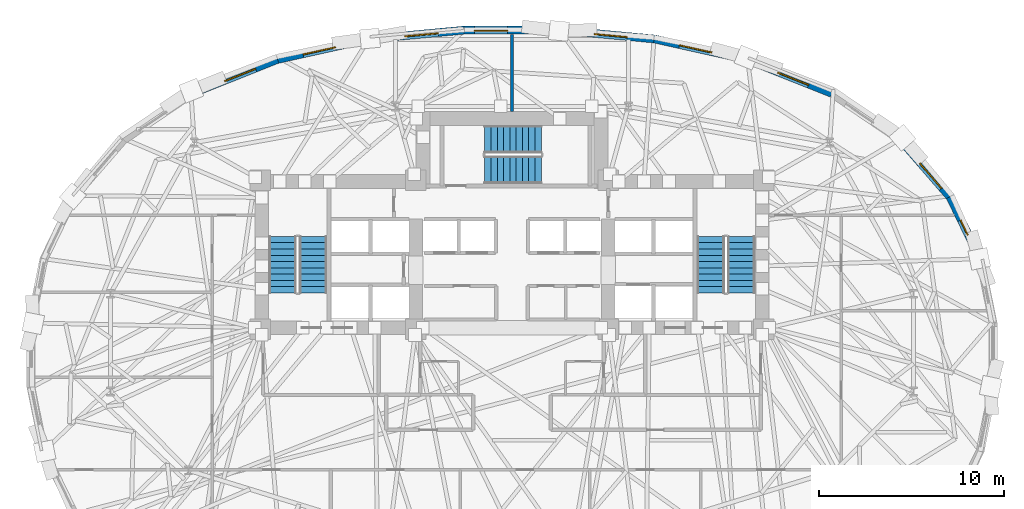
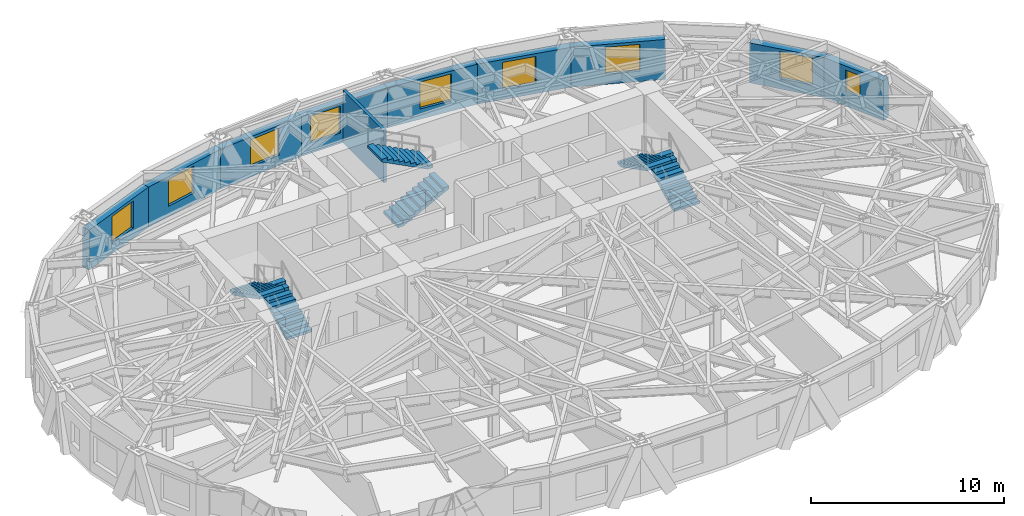
# One storey, part 10 of 14: 10 walls, 9 windows, 6 stair flights, 9 openings, 3 elements without a shape of their own.
"""IFC4 building model written with IfcOpenShell, lengths in metres."""

from ifc_helpers import new_model, si_unit, direction, frame, frame_2d, origin, place, context, subcontext, project, spatial, polyline, rectangle, outline, extrude, material, layer, layer_set, type_object, element, fill, aggregate, save


model = new_model("IFC4")

# Units and contexts
model_context = context("Model", 3, precision=1e-05, world=origin(), true_north=direction((0.0, 1.0)))
body_context = subcontext(model_context, "Body", "Model", "MODEL_VIEW")
ifc_project = project(units=[si_unit("LENGTHUNIT", "METRE"), si_unit("AREAUNIT", "SQUARE_METRE"), si_unit("VOLUMEUNIT", "CUBIC_METRE"), si_unit("PLANEANGLEUNIT", "RADIAN"), si_unit("MASSUNIT", "GRAM", prefix="KILO")], contexts=[model_context])

# Site, building, storey
site_placement = place(None, origin())
site = spatial("IfcSite", under=ifc_project, at=site_placement, CompositionType="ELEMENT")
building_placement = place(site_placement, origin())
building = spatial("IfcBuilding", under=site, at=building_placement, Name="Keldmark Tower", CompositionType="ELEMENT")
storey_placement = place(building_placement, frame((0.0, 0.0, 121.10009765625)))
storey = spatial("IfcBuildingStorey", under=building, at=storey_placement, Name="L32", CompositionType="ELEMENT", Elevation=121.10009765625)

# Wall
ifc_material_1 = material(Name="STC-58 Insulated Tenant Demising Gypsum Partition", Category="gypsum")
ifc_layer_1 = layer(ifc_material_1, 0.175048828125)
ifc_layer_set_1 = layer_set([ifc_layer_1], Name="STC-58 Insulated Tenant Demising Gypsum Partition")
wall_type_1 = type_object("IfcWallType", Name="Demising Suite Partition 175 mm", PredefinedType="PARTITIONING", material=ifc_layer_set_1)
wall_1_placement = place(storey_placement, frame((0.0, 13.14990234375, 0.0), z_axis=(0.0, 0.0, 1.0), x_axis=(0.0, 1.0, 0.0)))
element("IfcWall", 1, at=wall_1_placement, inside=storey, type_object=wall_type_1, Name="L32 Demising Suite Partition 175 mm N-MID-DIV", PredefinedType="PARTITIONING", context=body_context, shape_type="SweptSolid", body=[
    extrude(rectangle(XDim=4.180908203125, YDim=0.175048828125, at=frame_2d((2.09033203125, 0.0))), origin(), (0.0, 0.0, 1.0), 3.309814453125),
])

# Wall, opening, window
ifc_material_2 = material(Name="Ironspot Manganese Brick and Kasota Buff Limestone Spandrel Assembly", Category="masonry")
ifc_layer_2 = layer(ifc_material_2, 0.43994140625)
ifc_layer_set_2 = layer_set([ifc_layer_2], Name="Ironspot Manganese Brick and Kasota Buff Limestone Spandrel Assembly")
wall_type_2 = type_object("IfcWallType", Name="Tower Brick Pier and Spandrel Wall 440 mm", PredefinedType="STANDARD", material=ifc_layer_set_2)
wall_2_placement = place(storey_placement, frame((23.66748046875, 8.552490234375, 0.0), z_axis=(0.0, 0.0, 1.0), x_axis=(0.43625131955, -0.899824864177, 0.0)))
wall_2 = element("IfcWall", 2, at=wall_2_placement, inside=storey, type_object=wall_type_2, Name="L32 Exterior Brick and Spandrel Wall 02", PredefinedType="STANDARD", context=body_context, shape_type="SweptSolid", body=[
    extrude(rectangle(XDim=3.77978515625, YDim=0.43994140625, at=frame_2d((1.889892578125, 0.0))), origin(), (0.0, 0.0, 1.0), 2.52783203125),
])
opening_1_placement = place(wall_2_placement, frame((1.390380859375, 0.0, 0.919921875)))
opening_1 = element("IfcOpeningElement", 3, at=opening_1_placement, cuts=wall_2, Name="Opening W-09", PredefinedType="OPENING", context=body_context, shape_type="SweptSolid", body=[
    extrude(rectangle(XDim=0.89990234375, YDim=1.35009765625, at=frame_2d((0.449951171875, 0.675048828125))), frame((0.0, 0.22998046875, 0.0), z_axis=(0.0, -1.0, 0.0), x_axis=(1.0, 0.0, 0.0)), (0.0, 0.0, 1.0), 0.4599609375),
])
ifc_material_3 = material(Name="Thermally Broken Anodized Aluminum and Triple Low-E Argon Glazing", Category="aluminium")
window_type_1 = type_object("IfcWindowType", Name="Corner Pier Deep-Set Window 900x1350", PartitioningType="SINGLE_PANEL", PredefinedType="WINDOW", material=ifc_material_3)
window_1_placement = place(opening_1_placement, origin())
window_1 = element("IfcWindow", 4, at=window_1_placement, inside=storey, type_object=window_type_1, Name="L32 Deep-Set Window 02", OverallHeight=1.35009765625, OverallWidth=0.89990234375, PartitioningType="SINGLE_PANEL", PredefinedType="WINDOW", context=body_context, shape_type="SweptSolid", body=[
    extrude(rectangle(XDim=0.89990234375, YDim=1.35009765625, at=frame_2d((0.449951171875, 0.675048828125))), frame((0.0, -0.010009765625, 0.0), z_axis=(0.0, -1.0, 0.0), x_axis=(1.0, 0.0, 0.0)), (0.0, 0.0, 1.0), 0.06005859375),
])
fill(opening_1, window_1)

wall_3_placement = place(storey_placement, frame((20.9931640625, 11.629150390625, 0.0), z_axis=(0.0, 0.0, 1.0), x_axis=(0.654644924638, -0.755936520249, 0.0)))
wall_3 = element("IfcWall", 5, at=wall_3_placement, inside=storey, type_object=wall_type_2, Name="L32 Exterior Brick and Spandrel Wall 03", PredefinedType="STANDARD", context=body_context, shape_type="SweptSolid", body=[
    extrude(rectangle(XDim=4.133544921875, YDim=0.43994140625, at=frame_2d((2.06689453125, 0.0))), origin(), (0.0, 0.0, 1.0), 2.52783203125),
])
opening_2_placement = place(wall_3_placement, frame((1.6376953125, 0.0, 0.64990234375)))
opening_2 = element("IfcOpeningElement", 6, at=opening_2_placement, cuts=wall_3, Name="Opening W-02", PredefinedType="OPENING", context=body_context, shape_type="SweptSolid", body=[
    extrude(rectangle(XDim=1.800048828125, YDim=1.699951171875, at=frame_2d((0.89990234375, 0.85009765625))), frame((0.0, 0.22998046875, 0.0), z_axis=(0.0, -1.0, 0.0), x_axis=(1.0, 0.0, 0.0)), (0.0, 0.0, 1.0), 0.4599609375),
])
ifc_material_4 = material(Name="Thermally Broken Anodized Aluminum and Triple Low-E Argon Glazing", Category="aluminium")
window_type_2 = type_object("IfcWindowType", Name="Office Deep-Set Triple Window 1800x1700", PartitioningType="TRIPLE_PANEL_VERTICAL", PredefinedType="WINDOW", material=ifc_material_4)
window_2_placement = place(opening_2_placement, origin())
window_2 = element("IfcWindow", 7, at=window_2_placement, inside=storey, type_object=window_type_2, Name="L32 Deep-Set Window 03", OverallHeight=1.699951171875, OverallWidth=1.800048828125, PartitioningType="SINGLE_PANEL", PredefinedType="WINDOW", context=body_context, shape_type="SweptSolid", body=[
    extrude(rectangle(XDim=1.800048828125, YDim=1.699951171875, at=frame_2d((0.89990234375, 0.85009765625))), frame((0.0, -0.010009765625, 0.0), z_axis=(0.0, -1.0, 0.0), x_axis=(1.0, 0.0, 0.0)), (0.0, 0.0, 1.0), 0.06005859375),
])
fill(opening_2, window_2)

wall_4_placement = place(storey_placement, frame((12.6748046875, 15.975830078125, 0.0), z_axis=(0.0, 0.0, 1.0), x_axis=(0.929089765506, -0.369854305953, 0.0)))
wall_4 = element("IfcWall", 8, at=wall_4_placement, inside=storey, type_object=wall_type_2, Name="L32 Exterior Brick and Spandrel Wall 05", PredefinedType="STANDARD", context=body_context, shape_type="SweptSolid", body=[
    extrude(rectangle(XDim=4.960693359375, YDim=0.43994140625, at=frame_2d((2.48046875, 0.0))), origin(), (0.0, 0.0, 1.0), 2.52783203125),
])
opening_3_placement = place(wall_4_placement, frame((1.82666015625, 0.0, 0.64990234375)))
opening_3 = element("IfcOpeningElement", 9, at=opening_3_placement, cuts=wall_4, Name="Opening W-02", PredefinedType="OPENING", context=body_context, shape_type="SweptSolid", body=[
    extrude(rectangle(XDim=1.800048828125, YDim=1.699951171875, at=frame_2d((0.89990234375, 0.85009765625))), frame((0.0, 0.22998046875, 0.0), z_axis=(0.0, -1.0, 0.0), x_axis=(1.0, 0.0, 0.0)), (0.0, 0.0, 1.0), 0.4599609375),
])
window_3_placement = place(opening_3_placement, origin())
window_3 = element("IfcWindow", 10, at=window_3_placement, inside=storey, type_object=window_type_2, Name="L32 Deep-Set Window 05", OverallHeight=1.699951171875, OverallWidth=1.800048828125, PartitioningType="SINGLE_PANEL", PredefinedType="WINDOW", context=body_context, shape_type="SweptSolid", body=[
    extrude(rectangle(XDim=1.800048828125, YDim=1.699951171875, at=frame_2d((0.89990234375, 0.85009765625))), frame((0.0, -0.010009765625, 0.0), z_axis=(0.0, -1.0, 0.0), x_axis=(1.0, 0.0, 0.0)), (0.0, 0.0, 1.0), 0.06005859375),
])
fill(opening_3, window_3)

wall_5_placement = place(storey_placement, frame((7.69189453125, 17.08349609375, 0.0), z_axis=(0.0, 0.0, 1.0), x_axis=(0.976058355685, -0.217508818896, 0.0)))
wall_5 = element("IfcWall", 11, at=wall_5_placement, inside=storey, type_object=wall_type_2, Name="L32 Exterior Brick and Spandrel Wall 06", PredefinedType="STANDARD", context=body_context, shape_type="SweptSolid", body=[
    extrude(rectangle(XDim=5.1396484375, YDim=0.43994140625, at=frame_2d((2.56982421875, 0.0))), origin(), (0.0, 0.0, 1.0), 2.52783203125),
])
opening_4_placement = place(wall_5_placement, frame((1.395751953125, 0.0, 0.64990234375)))
opening_4 = element("IfcOpeningElement", 12, at=opening_4_placement, cuts=wall_5, Name="Opening W-02", PredefinedType="OPENING", context=body_context, shape_type="SweptSolid", body=[
    extrude(rectangle(XDim=1.800048828125, YDim=1.699951171875, at=frame_2d((0.89990234375, 0.85009765625))), frame((0.0, 0.22998046875, 0.0), z_axis=(0.0, -1.0, 0.0), x_axis=(1.0, 0.0, 0.0)), (0.0, 0.0, 1.0), 0.4599609375),
])
window_4_placement = place(opening_4_placement, origin())
window_4 = element("IfcWindow", 13, at=window_4_placement, inside=storey, type_object=window_type_2, Name="L32 Deep-Set Window 06", OverallHeight=1.699951171875, OverallWidth=1.800048828125, PartitioningType="SINGLE_PANEL", PredefinedType="WINDOW", context=body_context, shape_type="SweptSolid", body=[
    extrude(rectangle(XDim=1.800048828125, YDim=1.699951171875, at=frame_2d((0.89990234375, 0.85009765625))), frame((0.0, -0.010009765625, 0.0), z_axis=(0.0, -1.0, 0.0), x_axis=(1.0, 0.0, 0.0)), (0.0, 0.0, 1.0), 0.06005859375),
])
fill(opening_4, window_4)

wall_6_placement = place(storey_placement, frame((2.5625, 17.559814453125, 0.0), z_axis=(0.0, 0.0, 1.0), x_axis=(0.995683099415, -0.092817916047, 0.0)))
wall_6 = element("IfcWall", 14, at=wall_6_placement, inside=storey, type_object=wall_type_2, Name="L32 Exterior Brick and Spandrel Wall 07", PredefinedType="STANDARD", context=body_context, shape_type="SweptSolid", body=[
    extrude(rectangle(XDim=5.17919921875, YDim=0.43994140625, at=frame_2d((2.589599609375, 0.0))), origin(), (0.0, 0.0, 1.0), 2.52783203125),
])
opening_5_placement = place(wall_6_placement, frame((1.88818359375, 0.0, 0.64990234375)))
opening_5 = element("IfcOpeningElement", 15, at=opening_5_placement, cuts=wall_6, Name="Opening W-02", PredefinedType="OPENING", context=body_context, shape_type="SweptSolid", body=[
    extrude(rectangle(XDim=1.800048828125, YDim=1.699951171875, at=frame_2d((0.89990234375, 0.85009765625))), frame((0.0, 0.22998046875, 0.0), z_axis=(0.0, -1.0, 0.0), x_axis=(1.0, 0.0, 0.0)), (0.0, 0.0, 1.0), 0.4599609375),
])
window_5_placement = place(opening_5_placement, origin())
window_5 = element("IfcWindow", 16, at=window_5_placement, inside=storey, type_object=window_type_2, Name="L32 Deep-Set Window 07", OverallHeight=1.699951171875, OverallWidth=1.800048828125, PartitioningType="SINGLE_PANEL", PredefinedType="WINDOW", context=body_context, shape_type="SweptSolid", body=[
    extrude(rectangle(XDim=1.800048828125, YDim=1.699951171875, at=frame_2d((0.89990234375, 0.85009765625))), frame((0.0, -0.010009765625, 0.0), z_axis=(0.0, -1.0, 0.0), x_axis=(1.0, 0.0, 0.0)), (0.0, 0.0, 1.0), 0.06005859375),
])
fill(opening_5, window_5)

wall_7_placement = place(storey_placement, frame((-2.582763671875, 17.558837890625, 0.0), z_axis=(0.0, 0.0, 1.0), x_axis=(1.0, 0.0, 0.0)))
wall_7 = element("IfcWall", 17, at=wall_7_placement, inside=storey, type_object=wall_type_2, Name="L32 Exterior Brick and Spandrel Wall 08", PredefinedType="STANDARD", context=body_context, shape_type="SweptSolid", body=[
    extrude(rectangle(XDim=5.16552734375, YDim=0.43994140625, at=frame_2d((2.582763671875, 0.0))), origin(), (0.0, 0.0, 1.0), 2.52783203125),
])
opening_6_placement = place(wall_7_placement, frame((0.5458984375, 0.0, 0.64990234375)))
opening_6 = element("IfcOpeningElement", 18, at=opening_6_placement, cuts=wall_7, Name="Opening W-02", PredefinedType="OPENING", context=body_context, shape_type="SweptSolid", body=[
    extrude(rectangle(XDim=1.800048828125, YDim=1.699951171875, at=frame_2d((0.89990234375, 0.85009765625))), frame((0.0, 0.22998046875, 0.0), z_axis=(0.0, -1.0, 0.0), x_axis=(1.0, 0.0, 0.0)), (0.0, 0.0, 1.0), 0.4599609375),
])
window_6_placement = place(opening_6_placement, origin())
window_6 = element("IfcWindow", 19, at=window_6_placement, inside=storey, type_object=window_type_2, Name="L32 Deep-Set Window 08", OverallHeight=1.699951171875, OverallWidth=1.800048828125, PartitioningType="SINGLE_PANEL", PredefinedType="WINDOW", context=body_context, shape_type="SweptSolid", body=[
    extrude(rectangle(XDim=1.800048828125, YDim=1.699951171875, at=frame_2d((0.89990234375, 0.85009765625))), frame((0.0, -0.010009765625, 0.0), z_axis=(0.0, -1.0, 0.0), x_axis=(1.0, 0.0, 0.0)), (0.0, 0.0, 1.0), 0.06005859375),
])
fill(opening_6, window_6)

wall_8_placement = place(storey_placement, frame((-7.71923828125, 17.0791015625, 0.0), z_axis=(0.0, 0.0, 1.0), x_axis=(0.995683099415, 0.092817916047, 0.0)))
wall_8 = element("IfcWall", 20, at=wall_8_placement, inside=storey, type_object=wall_type_2, Name="L32 Exterior Brick and Spandrel Wall 09", PredefinedType="STANDARD", context=body_context, shape_type="SweptSolid", body=[
    extrude(rectangle(XDim=5.17919921875, YDim=0.43994140625, at=frame_2d((2.589599609375, 0.0))), origin(), (0.0, 0.0, 1.0), 2.52783203125),
])
opening_7_placement = place(wall_8_placement, frame((1.93798828125, 0.0, 0.64990234375)))
opening_7 = element("IfcOpeningElement", 21, at=opening_7_placement, cuts=wall_8, Name="Opening W-02", PredefinedType="OPENING", context=body_context, shape_type="SweptSolid", body=[
    extrude(rectangle(XDim=1.800048828125, YDim=1.699951171875, at=frame_2d((0.89990234375, 0.85009765625))), frame((0.0, 0.22998046875, 0.0), z_axis=(0.0, -1.0, 0.0), x_axis=(1.0, 0.0, 0.0)), (0.0, 0.0, 1.0), 0.4599609375),
])
window_7_placement = place(opening_7_placement, origin())
window_7 = element("IfcWindow", 22, at=window_7_placement, inside=storey, type_object=window_type_2, Name="L32 Deep-Set Window 09", OverallHeight=1.699951171875, OverallWidth=1.800048828125, PartitioningType="SINGLE_PANEL", PredefinedType="WINDOW", context=body_context, shape_type="SweptSolid", body=[
    extrude(rectangle(XDim=1.800048828125, YDim=1.699951171875, at=frame_2d((0.89990234375, 0.85009765625))), frame((0.0, -0.010009765625, 0.0), z_axis=(0.0, -1.0, 0.0), x_axis=(1.0, 0.0, 0.0)), (0.0, 0.0, 1.0), 0.06005859375),
])
fill(opening_7, window_7)

wall_9_placement = place(storey_placement, frame((-12.70849609375, 15.965576171875, 0.0), z_axis=(0.0, 0.0, 1.0), x_axis=(0.976058355685, 0.217508818896, 0.0)))
wall_9 = element("IfcWall", 23, at=wall_9_placement, inside=storey, type_object=wall_type_2, Name="L32 Exterior Brick and Spandrel Wall 10", PredefinedType="STANDARD", context=body_context, shape_type="SweptSolid", body=[
    extrude(rectangle(XDim=5.1396484375, YDim=0.43994140625, at=frame_2d((2.56982421875, 0.0))), origin(), (0.0, 0.0, 1.0), 2.52783203125),
])
opening_8_placement = place(wall_9_placement, frame((1.445556640625, 0.0, 0.64990234375)))
opening_8 = element("IfcOpeningElement", 24, at=opening_8_placement, cuts=wall_9, Name="Opening W-02", PredefinedType="OPENING", context=body_context, shape_type="SweptSolid", body=[
    extrude(rectangle(XDim=1.800048828125, YDim=1.699951171875, at=frame_2d((0.89990234375, 0.85009765625))), frame((0.0, 0.22998046875, 0.0), z_axis=(0.0, -1.0, 0.0), x_axis=(1.0, 0.0, 0.0)), (0.0, 0.0, 1.0), 0.4599609375),
])
window_8_placement = place(opening_8_placement, origin())
window_8 = element("IfcWindow", 25, at=window_8_placement, inside=storey, type_object=window_type_2, Name="L32 Deep-Set Window 10", OverallHeight=1.699951171875, OverallWidth=1.800048828125, PartitioningType="SINGLE_PANEL", PredefinedType="WINDOW", context=body_context, shape_type="SweptSolid", body=[
    extrude(rectangle(XDim=1.800048828125, YDim=1.699951171875, at=frame_2d((0.89990234375, 0.85009765625))), frame((0.0, -0.010009765625, 0.0), z_axis=(0.0, -1.0, 0.0), x_axis=(1.0, 0.0, 0.0)), (0.0, 0.0, 1.0), 0.06005859375),
])
fill(opening_8, window_8)

wall_10_placement = place(storey_placement, frame((-17.28369140625, 14.14111328125, 0.0), z_axis=(0.0, 0.0, 1.0), x_axis=(0.929089765506, 0.369854305953, 0.0)))
wall_10 = element("IfcWall", 26, at=wall_10_placement, inside=storey, type_object=wall_type_2, Name="L32 Exterior Brick and Spandrel Wall 11", PredefinedType="STANDARD", context=body_context, shape_type="SweptSolid", body=[
    extrude(rectangle(XDim=4.960693359375, YDim=0.43994140625, at=frame_2d((2.48046875, 0.0))), origin(), (0.0, 0.0, 1.0), 2.52783203125),
])
opening_9_placement = place(wall_10_placement, frame((1.8759765625, 0.0, 0.64990234375)))
opening_9 = element("IfcOpeningElement", 27, at=opening_9_placement, cuts=wall_10, Name="Opening W-02", PredefinedType="OPENING", context=body_context, shape_type="SweptSolid", body=[
    extrude(rectangle(XDim=1.800048828125, YDim=1.699951171875, at=frame_2d((0.89990234375, 0.85009765625))), frame((0.0, 0.22998046875, 0.0), z_axis=(0.0, -1.0, 0.0), x_axis=(1.0, 0.0, 0.0)), (0.0, 0.0, 1.0), 0.4599609375),
])
window_9_placement = place(opening_9_placement, origin())
window_9 = element("IfcWindow", 28, at=window_9_placement, inside=storey, type_object=window_type_2, Name="L32 Deep-Set Window 11", OverallHeight=1.699951171875, OverallWidth=1.800048828125, PartitioningType="SINGLE_PANEL", PredefinedType="WINDOW", context=body_context, shape_type="SweptSolid", body=[
    extrude(rectangle(XDim=1.800048828125, YDim=1.699951171875, at=frame_2d((0.89990234375, 0.85009765625))), frame((0.0, -0.010009765625, 0.0), z_axis=(0.0, -1.0, 0.0), x_axis=(1.0, 0.0, 0.0)), (0.0, 0.0, 1.0), 0.06005859375),
])
fill(opening_9, window_9)

# Stair, stair flights
ifc_material_5 = material(Name="Concrete C40/50", Category="concrete")
stair_type = type_object("IfcStairType", Name="Precast Concrete Core Exit Stair", PredefinedType="HALF_TURN_STAIR", material=ifc_material_5)
stair_1_placement = place(storey_placement, origin())
stair_1 = element("IfcStair", 29, at=stair_1_placement, inside=storey, type_object=stair_type, Name="L32 Exit Stair ST1", PredefinedType="HALF_TURN_STAIR")
ifc_material_6 = material(Name="Concrete C40/50", Category="concrete")
stair_flight_type = type_object("IfcStairFlightType", Name="Precast Concrete Stair Flight 1500 mm", PredefinedType="STRAIGHT", material=ifc_material_6)
stair_flight_1_placement = place(storey_placement, frame((-10.75, 3.35009765625, 0.0), z_axis=(0.0, 0.0, 1.0), x_axis=(0.0, 1.0, 0.0)))
stair_flight_1 = element("IfcStairFlight", 30, at=stair_flight_1_placement, type_object=stair_flight_type, Name="ST1 flight 1", NumberOfRisers=10, NumberOfTreads=9, PredefinedType="STRAIGHT", RiserHeight=0.175, TreadLength=0.34, context=body_context, shape_type="SweptSolid", body=[
    extrude(outline(polyline([(0.0, 0.0), (0.0, 0.175048828125), (0.340087890625, 0.175048828125), (0.340087890625, 0.35009765625), (0.679931640625, 0.35009765625), (0.679931640625, 0.52490234375), (1.02001953125, 0.52490234375), (1.02001953125, 0.699951171875), (1.360107421875, 0.699951171875), (1.360107421875, 0.875), (1.699951171875, 0.875), (1.699951171875, 1.050048828125), (2.0400390625, 1.050048828125), (2.0400390625, 1.22509765625), (2.3798828125, 1.22509765625), (2.3798828125, 1.39990234375), (2.719970703125, 1.39990234375), (2.719970703125, 1.574951171875), (3.06005859375, 1.574951171875), (3.06005859375, 1.75), (3.06005859375, 1.406494140625), (0.32763671875, 0.0), (0.0, 0.0)])), frame((0.0, 0.75, 0.0), z_axis=(0.0, -1.0, 0.0), x_axis=(1.0, 0.0, 0.0)), (0.0, 0.0, 1.0), 1.5),
])
stair_flight_2_placement = place(storey_placement, frame((-12.39990234375, 6.409912109375, 1.75), z_axis=(0.0, 0.0, 1.0), x_axis=(0.0, -1.0, 0.0)))
stair_flight_2 = element("IfcStairFlight", 31, at=stair_flight_2_placement, type_object=stair_flight_type, Name="ST1 flight 2", NumberOfRisers=10, NumberOfTreads=9, PredefinedType="STRAIGHT", RiserHeight=0.175, TreadLength=0.34, context=body_context, shape_type="SweptSolid", body=[
    extrude(outline(polyline([(0.0, 0.0), (0.0, 0.175048828125), (0.340087890625, 0.175048828125), (0.340087890625, 0.35009765625), (0.679931640625, 0.35009765625), (0.679931640625, 0.52490234375), (1.02001953125, 0.52490234375), (1.02001953125, 0.699951171875), (1.360107421875, 0.699951171875), (1.360107421875, 0.875), (1.699951171875, 0.875), (1.699951171875, 1.050048828125), (2.0400390625, 1.050048828125), (2.0400390625, 1.22509765625), (2.3798828125, 1.22509765625), (2.3798828125, 1.39990234375), (2.719970703125, 1.39990234375), (2.719970703125, 1.574951171875), (3.06005859375, 1.574951171875), (3.06005859375, 1.75), (3.06005859375, 1.406494140625), (0.32763671875, 0.0), (0.0, 0.0)])), frame((0.0, 0.75, 0.0), z_axis=(0.0, -1.0, 0.0), x_axis=(1.0, 0.0, 0.0)), (0.0, 0.0, 1.0), 1.5),
])
aggregate(stair_1, [stair_flight_1, stair_flight_2])

stair_2_placement = place(storey_placement, origin())
stair_2 = element("IfcStair", 32, at=stair_2_placement, inside=storey, type_object=stair_type, Name="L32 Exit Stair ST2", PredefinedType="HALF_TURN_STAIR")
stair_flight_3_placement = place(storey_placement, frame((12.39990234375, 3.35009765625, 0.0), z_axis=(0.0, 0.0, 1.0), x_axis=(0.0, 1.0, 0.0)))
stair_flight_3 = element("IfcStairFlight", 33, at=stair_flight_3_placement, type_object=stair_flight_type, Name="ST2 flight 1", NumberOfRisers=10, NumberOfTreads=9, PredefinedType="STRAIGHT", RiserHeight=0.175, TreadLength=0.34, context=body_context, shape_type="SweptSolid", body=[
    extrude(outline(polyline([(0.0, 0.0), (0.0, 0.175048828125), (0.340087890625, 0.175048828125), (0.340087890625, 0.35009765625), (0.679931640625, 0.35009765625), (0.679931640625, 0.52490234375), (1.02001953125, 0.52490234375), (1.02001953125, 0.699951171875), (1.360107421875, 0.699951171875), (1.360107421875, 0.875), (1.699951171875, 0.875), (1.699951171875, 1.050048828125), (2.0400390625, 1.050048828125), (2.0400390625, 1.22509765625), (2.3798828125, 1.22509765625), (2.3798828125, 1.39990234375), (2.719970703125, 1.39990234375), (2.719970703125, 1.574951171875), (3.06005859375, 1.574951171875), (3.06005859375, 1.75), (3.06005859375, 1.406494140625), (0.32763671875, 0.0), (0.0, 0.0)])), frame((0.0, 0.75, 0.0), z_axis=(0.0, -1.0, 0.0), x_axis=(1.0, 0.0, 0.0)), (0.0, 0.0, 1.0), 1.5),
])
stair_flight_4_placement = place(storey_placement, frame((10.75, 6.409912109375, 1.75), z_axis=(0.0, 0.0, 1.0), x_axis=(0.0, -1.0, 0.0)))
stair_flight_4 = element("IfcStairFlight", 34, at=stair_flight_4_placement, type_object=stair_flight_type, Name="ST2 flight 2", NumberOfRisers=10, NumberOfTreads=9, PredefinedType="STRAIGHT", RiserHeight=0.175, TreadLength=0.34, context=body_context, shape_type="SweptSolid", body=[
    extrude(outline(polyline([(0.0, 0.0), (0.0, 0.175048828125), (0.340087890625, 0.175048828125), (0.340087890625, 0.35009765625), (0.679931640625, 0.35009765625), (0.679931640625, 0.52490234375), (1.02001953125, 0.52490234375), (1.02001953125, 0.699951171875), (1.360107421875, 0.699951171875), (1.360107421875, 0.875), (1.699951171875, 0.875), (1.699951171875, 1.050048828125), (2.0400390625, 1.050048828125), (2.0400390625, 1.22509765625), (2.3798828125, 1.22509765625), (2.3798828125, 1.39990234375), (2.719970703125, 1.39990234375), (2.719970703125, 1.574951171875), (3.06005859375, 1.574951171875), (3.06005859375, 1.75), (3.06005859375, 1.406494140625), (0.32763671875, 0.0), (0.0, 0.0)])), frame((0.0, 0.75, 0.0), z_axis=(0.0, -1.0, 0.0), x_axis=(1.0, 0.0, 0.0)), (0.0, 0.0, 1.0), 1.5),
])
aggregate(stair_2, [stair_flight_3, stair_flight_4])

stair_3_placement = place(storey_placement, origin())
stair_3 = element("IfcStair", 35, at=stair_3_placement, inside=storey, type_object=stair_type, Name="L32 Exit Stair ST3", PredefinedType="HALF_TURN_STAIR")
stair_flight_5_placement = place(storey_placement, frame((-1.47509765625, 10.0, 0.0), z_axis=(0.0, 0.0, 1.0), x_axis=(1.0, 0.0, 0.0)))
stair_flight_5 = element("IfcStairFlight", 36, at=stair_flight_5_placement, type_object=stair_flight_type, Name="ST3 flight 1", NumberOfRisers=10, NumberOfTreads=9, PredefinedType="STRAIGHT", RiserHeight=0.175, TreadLength=0.34, context=body_context, shape_type="SweptSolid", body=[
    extrude(outline(polyline([(0.0, 0.0), (0.0, 0.175048828125), (0.340087890625, 0.175048828125), (0.340087890625, 0.35009765625), (0.679931640625, 0.35009765625), (0.679931640625, 0.52490234375), (1.02001953125, 0.52490234375), (1.02001953125, 0.699951171875), (1.360107421875, 0.699951171875), (1.360107421875, 0.875), (1.699951171875, 0.875), (1.699951171875, 1.050048828125), (2.0400390625, 1.050048828125), (2.0400390625, 1.22509765625), (2.3798828125, 1.22509765625), (2.3798828125, 1.39990234375), (2.719970703125, 1.39990234375), (2.719970703125, 1.574951171875), (3.06005859375, 1.574951171875), (3.06005859375, 1.75), (3.06005859375, 1.406494140625), (0.32763671875, 0.0), (0.0, 0.0)])), frame((0.0, 0.75, 0.0), z_axis=(0.0, -1.0, 0.0), x_axis=(1.0, 0.0, 0.0)), (0.0, 0.0, 1.0), 1.5),
])
stair_flight_6_placement = place(storey_placement, frame((1.5849609375, 11.64990234375, 1.75), z_axis=(0.0, 0.0, 1.0), x_axis=(-1.0, 0.0, 0.0)))
stair_flight_6 = element("IfcStairFlight", 37, at=stair_flight_6_placement, type_object=stair_flight_type, Name="ST3 flight 2", NumberOfRisers=10, NumberOfTreads=9, PredefinedType="STRAIGHT", RiserHeight=0.175, TreadLength=0.34, context=body_context, shape_type="SweptSolid", body=[
    extrude(outline(polyline([(0.0, 0.0), (0.0, 0.175048828125), (0.340087890625, 0.175048828125), (0.340087890625, 0.35009765625), (0.679931640625, 0.35009765625), (0.679931640625, 0.52490234375), (1.02001953125, 0.52490234375), (1.02001953125, 0.699951171875), (1.360107421875, 0.699951171875), (1.360107421875, 0.875), (1.699951171875, 0.875), (1.699951171875, 1.050048828125), (2.0400390625, 1.050048828125), (2.0400390625, 1.22509765625), (2.3798828125, 1.22509765625), (2.3798828125, 1.39990234375), (2.719970703125, 1.39990234375), (2.719970703125, 1.574951171875), (3.06005859375, 1.574951171875), (3.06005859375, 1.75), (3.06005859375, 1.406494140625), (0.32763671875, 0.0), (0.0, 0.0)])), frame((0.0, 0.75, 0.0), z_axis=(0.0, -1.0, 0.0), x_axis=(1.0, 0.0, 0.0)), (0.0, 0.0, 1.0), 1.5),
])
aggregate(stair_3, [stair_flight_5, stair_flight_6])

save(model, "model.ifc")
